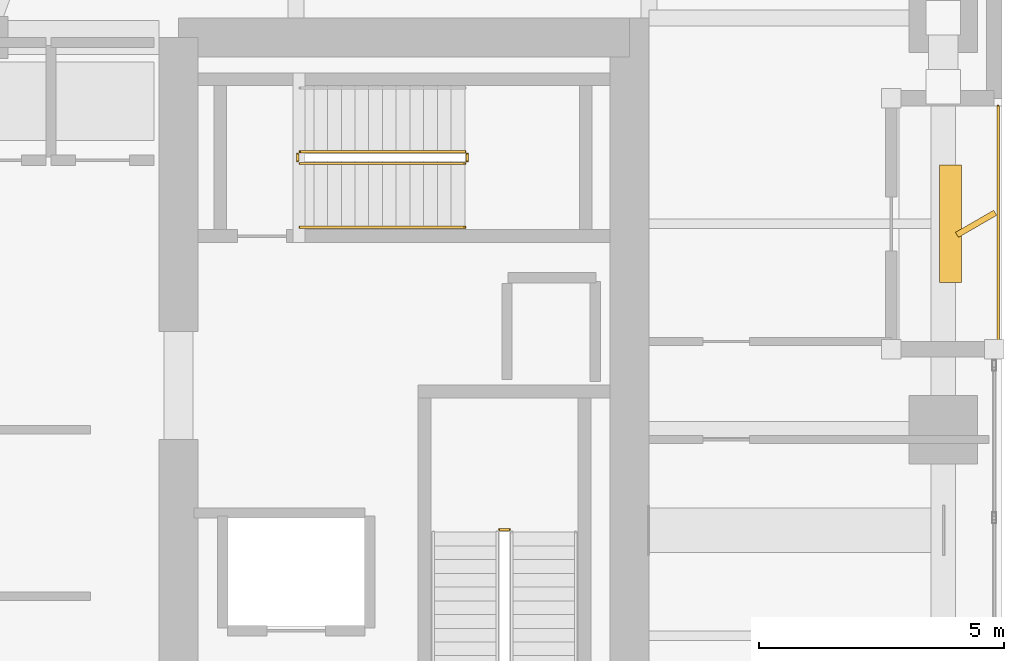
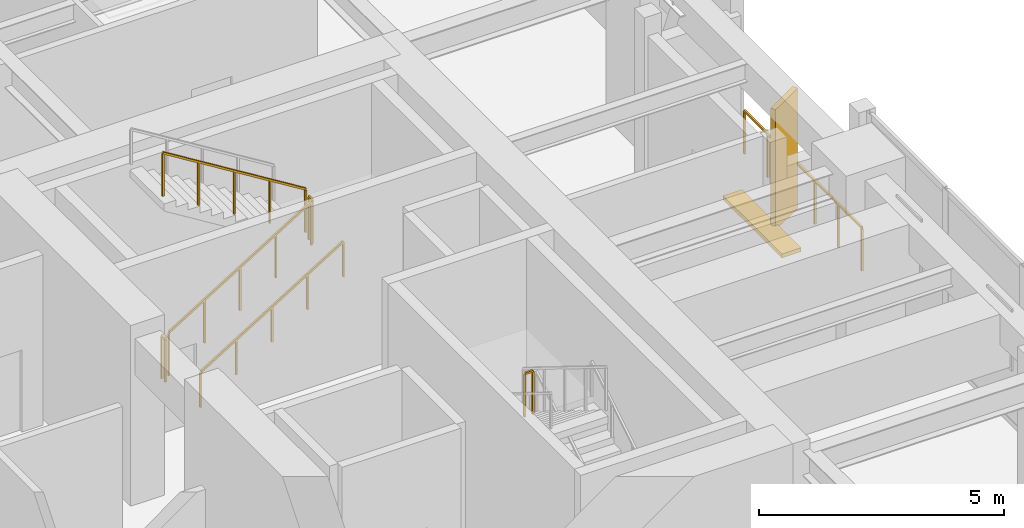
# One storey, part 21 of 23: 7 railings, 2 shading devices.
"""IFC4 building model written with IfcOpenShell, lengths in metres."""

from ifc_helpers import new_model, si_unit, direction, frame, origin, origin_2d, place, context, subcontext, project, spatial, rectangle, extrude, material, type_object, element, save


model = new_model("IFC4")

# Units and contexts
model_context = context("Model", 3, precision=1e-05, world=origin(), true_north=direction((0.0, 1.0)))
body_context = subcontext(model_context, "Body", "Model", "MODEL_VIEW")
ifc_project = project(units=[si_unit("LENGTHUNIT", "METRE"), si_unit("AREAUNIT", "SQUARE_METRE"), si_unit("VOLUMEUNIT", "CUBIC_METRE"), si_unit("PLANEANGLEUNIT", "RADIAN"), si_unit("MASSUNIT", "GRAM", prefix="KILO")], contexts=[model_context])

# Site, building, storey
site_placement = place(None, origin())
site = spatial("IfcSite", under=ifc_project, at=site_placement, CompositionType="ELEMENT")
building_placement = place(site_placement, origin())
building = spatial("IfcBuilding", under=site, at=building_placement, Name="Kiyonajd Concourse Tower", CompositionType="ELEMENT")
storey_placement = place(building_placement, frame((0.0, 0.0, 120.89990234375)))
storey = spatial("IfcBuildingStorey", under=building, at=storey_placement, Name="L31", CompositionType="ELEMENT", Elevation=120.89990234375)

# Railings
ifc_material_1 = material(Name="Thermally Broken Anodised Aluminium", Category="aluminium")
railing_type_1 = type_object("IfcRailingType", Name="RL-GRD-LOG", PredefinedType="GUARDRAIL", material=ifc_material_1)
railing_1_placement = place(storey_placement, frame((70.719970703125, 37.800048828125, 0.0)))
element("IfcRailing", 1, at=railing_1_placement, inside=storey, type_object=railing_type_1, Name="L31 Engawa Loggia Perimeter Guard LOG-E", PredefinedType="GUARDRAIL", context=body_context, shape_type="SweptSolid", body=[
    extrude(rectangle(XDim=0.048095703125, YDim=0.048095703125, at=origin_2d()), frame((0.0, 0.0, 1.076171875), z_axis=(0.0, 1.0, 0.0), x_axis=(-1.0, 0.0, 0.0)), (0.0, 0.0, 1.0), 4.800048828125),
    extrude(rectangle(XDim=0.0419921875, YDim=0.0419921875, at=origin_2d()), origin(), (0.0, 0.0, 1.0), 1.052001953125),
    extrude(rectangle(XDim=0.0419921875, YDim=0.0419921875, at=origin_2d()), frame((0.0, 0.9599609375, 0.0)), (0.0, 0.0, 1.0), 1.052001953125),
    extrude(rectangle(XDim=0.0419921875, YDim=0.0419921875, at=origin_2d()), frame((0.0, 1.919921875, 0.0)), (0.0, 0.0, 1.0), 1.052001953125),
    extrude(rectangle(XDim=0.0419921875, YDim=0.0419921875, at=origin_2d()), frame((0.0, 2.880126953125, 0.0)), (0.0, 0.0, 1.0), 1.052001953125),
    extrude(rectangle(XDim=0.0419921875, YDim=0.0419921875, at=origin_2d()), frame((0.0, 3.840087890625, 0.0)), (0.0, 0.0, 1.0), 1.052001953125),
    extrude(rectangle(XDim=0.0419921875, YDim=0.0419921875, at=origin_2d()), frame((0.0, 4.800048828125, 0.0)), (0.0, 0.0, 1.0), 1.052001953125),
])
ifc_material_2 = material(Name="Steel ASTM A500 Grade C", Category="steel")
railing_type_2 = type_object("IfcRailingType", Name="RL-GRD-STR", PredefinedType="GUARDRAIL", material=ifc_material_2)
railing_2_placement = place(storey_placement, frame((60.75, 33.9599609375, 2.25)))
element("IfcRailing", 2, at=railing_2_placement, inside=storey, type_object=railing_type_2, Name="L31 ST2 stair guard 2", PredefinedType="GUARDRAIL", context=body_context, shape_type="SweptSolid", body=[
    extrude(rectangle(XDim=0.048095703125, YDim=0.048095703125, at=origin_2d()), frame((0.0, 0.0, 1.076171875), z_axis=(-1.0, 0.0, 0.0), x_axis=(0.0, -1.0, 0.0)), (0.0, 0.0, 1.0), 0.199951171875),
    extrude(rectangle(XDim=0.0419921875, YDim=0.0419921875, at=origin_2d()), origin(), (0.0, 0.0, 1.0), 1.052001953125),
    extrude(rectangle(XDim=0.0419921875, YDim=0.0419921875, at=origin_2d()), frame((-0.199951171875, 0.0, 0.0)), (0.0, 0.0, 1.0), 1.052001953125),
])
railing_3_placement = place(storey_placement, frame((56.47998046875, 41.429931640625, 0.173095703125)))
element("IfcRailing", 3, at=railing_3_placement, inside=storey, type_object=railing_type_2, Name="L31 ST3 stair guard 1", PredefinedType="GUARDRAIL", context=body_context, shape_type="SweptSolid", body=[
    extrude(rectangle(XDim=0.048095703125, YDim=0.048095703125, at=origin_2d()), frame((0.0, 0.0, 1.076171875), z_axis=(0.850623216509, 0.0, 0.525775754039), x_axis=(0.0, 1.0, 0.0)), (0.0, 0.0, 1.0), 3.9501953125),
    extrude(rectangle(XDim=0.0419921875, YDim=0.0419921875, at=origin_2d()), origin(), (0.0, 0.0, 1.0), 1.052001953125),
    extrude(rectangle(XDim=0.0419921875, YDim=0.0419921875, at=origin_2d()), frame((0.840087890625, 0.0, 0.519287109375)), (0.0, 0.0, 1.0), 1.052001953125),
    extrude(rectangle(XDim=0.0419921875, YDim=0.0419921875, at=origin_2d()), frame((1.68017578125, 0.0, 1.03857421875)), (0.0, 0.0, 1.0), 1.052001953125),
    extrude(rectangle(XDim=0.0419921875, YDim=0.0419921875, at=origin_2d()), frame((2.52001953125, 0.0, 1.5576171875)), (0.0, 0.0, 1.0), 1.052001953125),
    extrude(rectangle(XDim=0.0419921875, YDim=0.0419921875, at=origin_2d()), frame((3.360107421875, 0.0, 2.076904296875)), (0.0, 0.0, 1.0), 1.052001953125),
])
railing_4_placement = place(storey_placement, frame((59.889892578125, 41.47998046875, 2.25)))
element("IfcRailing", 4, at=railing_4_placement, inside=storey, type_object=railing_type_2, Name="L31 ST3 stair guard 2", PredefinedType="GUARDRAIL", context=body_context, shape_type="SweptSolid", body=[
    extrude(rectangle(XDim=0.048095703125, YDim=0.048095703125, at=origin_2d()), frame((0.0, 0.0, 1.076171875), z_axis=(0.0, 1.0, 0.0), x_axis=(-1.0, 0.0, 0.0)), (0.0, 0.0, 1.0), 0.14013671875),
    extrude(rectangle(XDim=0.0419921875, YDim=0.0419921875, at=origin_2d()), origin(), (0.0, 0.0, 1.0), 1.052001953125),
    extrude(rectangle(XDim=0.0419921875, YDim=0.0419921875, at=origin_2d()), frame((0.0, 0.14013671875, 0.0)), (0.0, 0.0, 1.0), 1.052001953125),
])
railing_5_placement = place(storey_placement, frame((59.840087890625, 41.669921875, 2.423095703125)))
element("IfcRailing", 5, at=railing_5_placement, inside=storey, type_object=railing_type_2, Name="L31 ST3 stair guard 3", PredefinedType="GUARDRAIL", context=body_context, shape_type="SweptSolid", body=[
    extrude(rectangle(XDim=0.048095703125, YDim=0.048095703125, at=origin_2d()), frame((0.0, 0.0, 1.076171875), z_axis=(-0.850623216509, 0.0, 0.525775754039), x_axis=(0.0, -1.0, 0.0)), (0.0, 0.0, 1.0), 3.9501953125),
    extrude(rectangle(XDim=0.0419921875, YDim=0.0419921875, at=origin_2d()), origin(), (0.0, 0.0, 1.0), 1.052001953125),
    extrude(rectangle(XDim=0.0419921875, YDim=0.0419921875, at=origin_2d()), frame((-0.840087890625, 0.0, 0.519287109375)), (0.0, 0.0, 1.0), 1.052001953125),
    extrude(rectangle(XDim=0.0419921875, YDim=0.0419921875, at=origin_2d()), frame((-1.68017578125, 0.0, 1.03857421875)), (0.0, 0.0, 1.0), 1.052001953125),
    extrude(rectangle(XDim=0.0419921875, YDim=0.0419921875, at=origin_2d()), frame((-2.52001953125, 0.0, 1.5576171875)), (0.0, 0.0, 1.0), 1.052001953125),
    extrude(rectangle(XDim=0.0419921875, YDim=0.0419921875, at=origin_2d()), frame((-3.360107421875, 0.0, 2.076904296875)), (0.0, 0.0, 1.0), 1.052001953125),
])
railing_6_placement = place(storey_placement, frame((56.429931640625, 41.47998046875, 0.0)))
element("IfcRailing", 6, at=railing_6_placement, inside=storey, type_object=railing_type_2, Name="L31 ST3 stair guard 4", PredefinedType="GUARDRAIL", context=body_context, shape_type="SweptSolid", body=[
    extrude(rectangle(XDim=0.048095703125, YDim=0.048095703125, at=origin_2d()), frame((0.0, 0.0, 1.076171875), z_axis=(0.0, 1.0, 0.0), x_axis=(-1.0, 0.0, 0.0)), (0.0, 0.0, 1.0), 0.14013671875),
    extrude(rectangle(XDim=0.0419921875, YDim=0.0419921875, at=origin_2d()), origin(), (0.0, 0.0, 1.0), 1.052001953125),
    extrude(rectangle(XDim=0.0419921875, YDim=0.0419921875, at=origin_2d()), frame((0.0, 0.14013671875, 0.0)), (0.0, 0.0, 1.0), 1.052001953125),
])
ifc_material_3 = material(Name="Brushed Stainless Steel Cab Assembly", Category="steel")
railing_type_3 = type_object("IfcRailingType", Name="RL-HND-900", PredefinedType="HANDRAIL", material=ifc_material_3)
railing_7_placement = place(storey_placement, frame((56.47998046875, 40.1298828125, 0.173095703125)))
element("IfcRailing", 7, at=railing_7_placement, inside=storey, type_object=railing_type_3, Name="L31 ST3 stair handrail 1", PredefinedType="HANDRAIL", context=body_context, shape_type="SweptSolid", body=[
    extrude(rectangle(XDim=0.048095703125, YDim=0.048095703125, at=origin_2d()), frame((0.0, 0.0, 0.8759765625), z_axis=(0.850623216509, 0.0, 0.525775754039), x_axis=(0.0, 1.0, 0.0)), (0.0, 0.0, 1.0), 3.9501953125),
    extrude(rectangle(XDim=0.0419921875, YDim=0.0419921875, at=origin_2d()), origin(), (0.0, 0.0, 1.0), 0.851806640625),
    extrude(rectangle(XDim=0.0419921875, YDim=0.0419921875, at=origin_2d()), frame((0.840087890625, 0.0, 0.519287109375)), (0.0, 0.0, 1.0), 0.851806640625),
    extrude(rectangle(XDim=0.0419921875, YDim=0.0419921875, at=origin_2d()), frame((1.68017578125, 0.0, 1.03857421875)), (0.0, 0.0, 1.0), 0.851806640625),
    extrude(rectangle(XDim=0.0419921875, YDim=0.0419921875, at=origin_2d()), frame((2.52001953125, 0.0, 1.5576171875)), (0.0, 0.0, 1.0), 0.851806640625),
    extrude(rectangle(XDim=0.0419921875, YDim=0.0419921875, at=origin_2d()), frame((3.360107421875, 0.0, 2.076904296875)), (0.0, 0.0, 1.0), 0.851806640625),
])

# Shading devices
ifc_material_4 = material(Name="Precast concrete C50/60", Category="concrete")
shading_device_type_1 = type_object("IfcShadingDeviceType", Name="SH-FIN-900", PredefinedType="USERDEFINED", material=ifc_material_4)
shading_device_1_placement = place(storey_placement, frame((70.27001953125, 40.199951171875, 0.0), z_axis=(0.0, 0.0, 1.0), x_axis=(0.866025403784, 0.5, 0.0)))
element("IfcShadingDevice", 8, at=shading_device_1_placement, inside=storey, type_object=shading_device_type_1, Name="L31 Angled Koshi Solar Fin LOG-E", ObjectType="FIN", PredefinedType="USERDEFINED", context=body_context, shape_type="SweptSolid", body=[
    extrude(rectangle(XDim=0.89990234375, YDim=0.1201171875, at=origin_2d()), origin(), (0.0, 0.0, 1.0), 3.0),
])
shading_device_type_2 = type_object("IfcShadingDeviceType", Name="SH-LVR-600", PredefinedType="JALOUSIE", material=ifc_material_1)
shading_device_2_placement = place(storey_placement, frame((69.75, 40.199951171875, 0.0), z_axis=(0.0, 0.0, 1.0), x_axis=(0.0, 1.0, 0.0)))
element("IfcShadingDevice", 9, at=shading_device_2_placement, inside=storey, type_object=shading_device_type_2, Name="L31 Loggia Threshold Louver LOG-E", PredefinedType="JALOUSIE", context=body_context, shape_type="SweptSolid", body=[
    extrude(rectangle(XDim=2.39990234375, YDim=0.449951171875, at=origin_2d()), origin(), (0.0, 0.0, 1.0), 0.10009765625),
])

save(model, "model.ifc")
